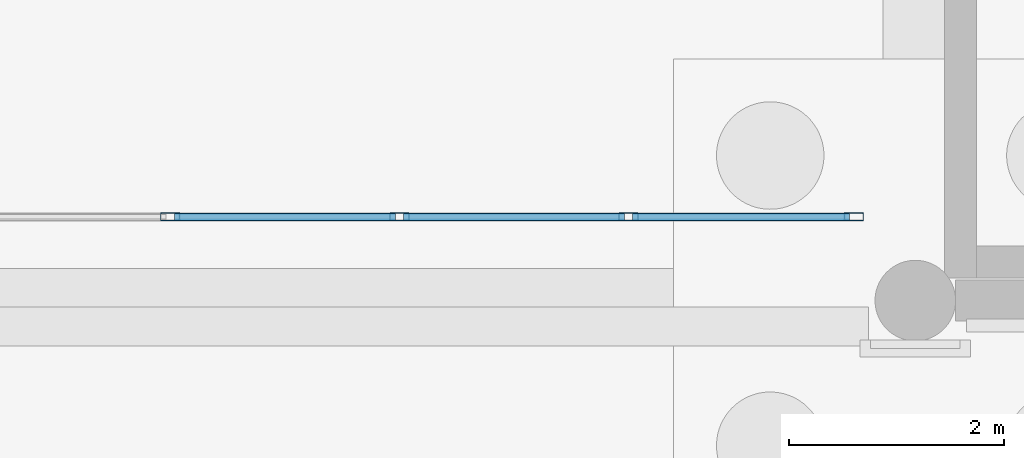
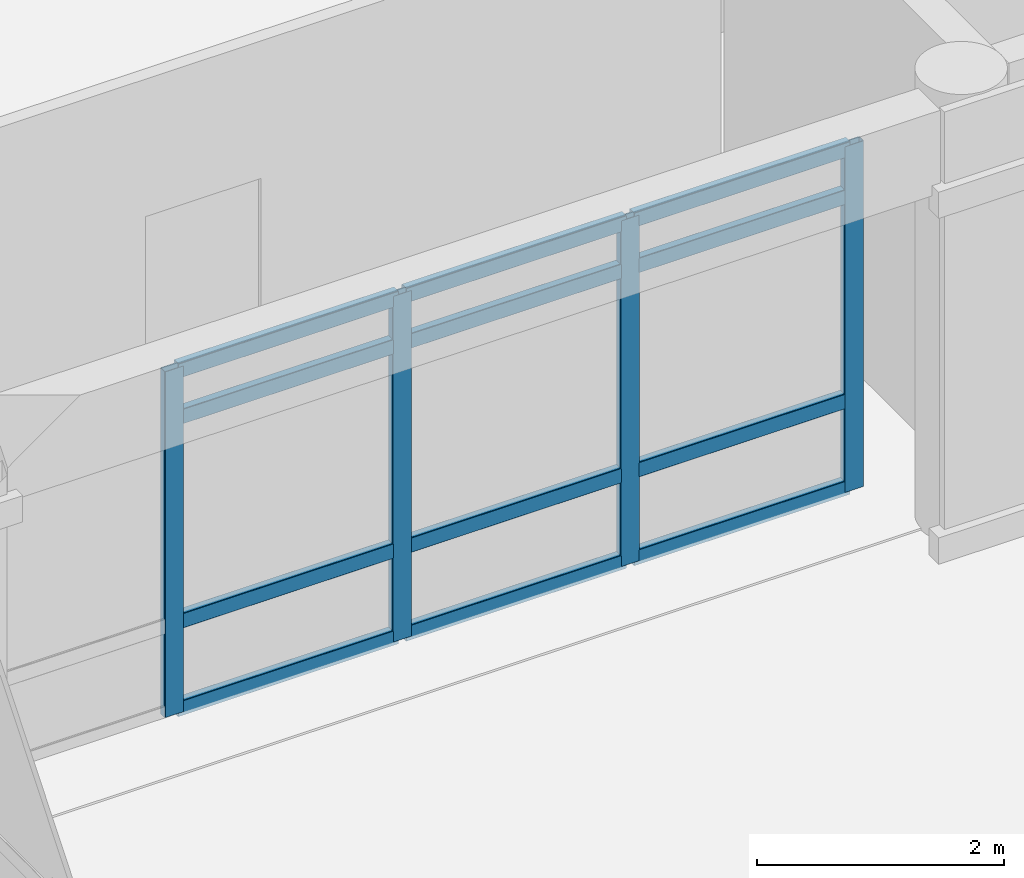
# One storey, part 94 of 196: 16 members, 1 element without a shape of its own.
"""IFC4 building model written with IfcOpenShell, lengths in metres."""

from ifc_helpers import new_model, si_unit, direction, frame, origin, origin_2d, place, context, subcontext, project, spatial, hollow_rectangle, extrude, material, layer, layer_set, material_profile, profile_set, type_object, element, aggregate, save


model = new_model("IFC4")

# Units and contexts
model_context = context("Model", 3, precision=1e-05, world=origin(), true_north=direction((0.0, 1.0)))
body_context = subcontext(model_context, "Body", "Model", "MODEL_VIEW")
ifc_project = project(units=[si_unit("LENGTHUNIT", "METRE"), si_unit("AREAUNIT", "SQUARE_METRE"), si_unit("VOLUMEUNIT", "CUBIC_METRE"), si_unit("PLANEANGLEUNIT", "RADIAN"), si_unit("MASSUNIT", "GRAM", prefix="KILO")], contexts=[model_context])

# Site, building, storey
site_placement = place(None, origin())
site = spatial("IfcSite", under=ifc_project, at=site_placement, CompositionType="ELEMENT")
building_placement = place(site_placement, origin())
building = spatial("IfcBuilding", under=site, at=building_placement, Name="Asteropetra Specialist Clinic", CompositionType="ELEMENT")
storey_placement = place(building_placement, origin())
storey = spatial("IfcBuildingStorey", under=building, at=storey_placement, Name="L00", CompositionType="ELEMENT", Elevation=0.0)

# Curtain wall, members
ifc_material_1 = material(Name="Aluminium and low-E glass", Category="aluminium")
ifc_layer = layer(ifc_material_1, 0.135009765625)
ifc_layer_set = layer_set([ifc_layer], Name="Aluminium and low-E glass")
curtain_wall_type = type_object("IfcCurtainWallType", Name="CW-SYS-09", PredefinedType="USERDEFINED", material=ifc_layer_set)
curtain_wall_placement = place(storey_placement, origin())
curtain_wall = element("IfcCurtainWall", 1, at=curtain_wall_placement, inside=storey, type_object=curtain_wall_type, Name="Curtain Wall CW-183", ObjectType="STICK GLAZED COLONNADE", PredefinedType="USERDEFINED")
ifc_material_2 = material(Name="Aluminium 6063-T6", Category="aluminium")
ifc_material_profile_1 = material_profile(ifc_material_2, hollow_rectangle(XDim=0.074951171875, YDim=0.179931640625, WallThickness=0.00390625, InnerFilletRadius=0.00390625, OuterFilletRadius=0.008056640625, at=origin_2d()), Name="MUL 180x75x4.0")
ifc_profile_set_1 = profile_set([ifc_material_profile_1], Name="Aluminium 6063-T6")
member_type_1 = type_object("IfcMemberType", Name="CWM-180x75", PredefinedType="MULLION", material=ifc_profile_set_1)
member_1_placement = place(storey_placement, frame((31.467529296875, 70.3798828125, 0.0), z_axis=(0.0, 0.0, 1.0), x_axis=(0.0, 1.0, 0.0)))
member_1 = element("IfcMember", 2, at=member_1_placement, type_object=member_type_1, Name="CW-183 mullion 2", PredefinedType="MULLION", context=body_context, shape_type="SweptSolid", body=[
    extrude(hollow_rectangle(XDim=0.074951171875, YDim=0.179931640625, WallThickness=0.00390625, InnerFilletRadius=0.00390625, OuterFilletRadius=0.008056640625, at=origin_2d()), origin(), (0.0, 0.0, 1.0), 3.419921875),
])
member_2_placement = place(storey_placement, frame((33.60009765625, 70.3798828125, 0.0), z_axis=(0.0, 0.0, 1.0), x_axis=(0.0, 1.0, 0.0)))
member_2 = element("IfcMember", 3, at=member_2_placement, type_object=member_type_1, Name="CW-183 mullion 3", PredefinedType="MULLION", context=body_context, shape_type="SweptSolid", body=[
    extrude(hollow_rectangle(XDim=0.074951171875, YDim=0.179931640625, WallThickness=0.00390625, InnerFilletRadius=0.00390625, OuterFilletRadius=0.008056640625, at=origin_2d()), origin(), (0.0, 0.0, 1.0), 3.419921875),
])
member_3_placement = place(storey_placement, frame((35.732421875, 70.3798828125, 0.0), z_axis=(0.0, 0.0, 1.0), x_axis=(0.0, 1.0, 0.0)))
member_3 = element("IfcMember", 4, at=member_3_placement, type_object=member_type_1, Name="CW-183 mullion 4", PredefinedType="MULLION", context=body_context, shape_type="SweptSolid", body=[
    extrude(hollow_rectangle(XDim=0.074951171875, YDim=0.179931640625, WallThickness=0.00390625, InnerFilletRadius=0.00390625, OuterFilletRadius=0.008056640625, at=origin_2d()), origin(), (0.0, 0.0, 1.0), 3.419921875),
])
member_4_placement = place(storey_placement, frame((37.827392578125, 70.3798828125, 0.0), z_axis=(0.0, 0.0, 1.0), x_axis=(0.0, 1.0, 0.0)))
member_4 = element("IfcMember", 5, at=member_4_placement, type_object=member_type_1, Name="CW-183 mullion 5", PredefinedType="MULLION", context=body_context, shape_type="SweptSolid", body=[
    extrude(hollow_rectangle(XDim=0.074951171875, YDim=0.179931640625, WallThickness=0.00390625, InnerFilletRadius=0.00390625, OuterFilletRadius=0.008056640625, at=origin_2d()), origin(), (0.0, 0.0, 1.0), 3.419921875),
])
ifc_material_3 = material(Name="Aluminium 6063-T6", Category="aluminium")
ifc_material_profile_2 = material_profile(ifc_material_3, hollow_rectangle(XDim=0.074951171875, YDim=0.14990234375, WallThickness=0.00390625, InnerFilletRadius=0.00390625, OuterFilletRadius=0.008056640625, at=origin_2d()), Name="TRN 150x75x4.0")
ifc_profile_set_2 = profile_set([ifc_material_profile_2], Name="Aluminium 6063-T6")
member_type_2 = type_object("IfcMemberType", Name="CWT-150x75", PredefinedType="USERDEFINED", material=ifc_profile_set_2)
member_5_placement = place(storey_placement, frame((31.5048828125, 70.3798828125, 0.03759765625), z_axis=(1.0, 0.0, 0.0), x_axis=(0.0, 1.0, 0.0)))
member_5 = element("IfcMember", 6, at=member_5_placement, type_object=member_type_2, Name="CW-183 transom 2.1", ObjectType="TRANSOM", PredefinedType="USERDEFINED", context=body_context, shape_type="SweptSolid", body=[
    extrude(hollow_rectangle(XDim=0.074951171875, YDim=0.14990234375, WallThickness=0.00390625, InnerFilletRadius=0.00390625, OuterFilletRadius=0.008056640625, at=origin_2d()), origin(), (0.0, 0.0, 1.0), 2.0576171875),
])
member_6_placement = place(storey_placement, frame((31.5048828125, 70.3798828125, 0.89990234375), z_axis=(1.0, 0.0, 0.0), x_axis=(0.0, 1.0, 0.0)))
member_6 = element("IfcMember", 7, at=member_6_placement, type_object=member_type_2, Name="CW-183 transom 2.2", ObjectType="TRANSOM", PredefinedType="USERDEFINED", context=body_context, shape_type="SweptSolid", body=[
    extrude(hollow_rectangle(XDim=0.074951171875, YDim=0.14990234375, WallThickness=0.00390625, InnerFilletRadius=0.00390625, OuterFilletRadius=0.008056640625, at=origin_2d()), origin(), (0.0, 0.0, 1.0), 2.0576171875),
])
member_7_placement = place(storey_placement, frame((31.5048828125, 70.3798828125, 2.919921875), z_axis=(1.0, 0.0, 0.0), x_axis=(0.0, 1.0, 0.0)))
member_7 = element("IfcMember", 8, at=member_7_placement, type_object=member_type_2, Name="CW-183 transom 2.3", ObjectType="TRANSOM", PredefinedType="USERDEFINED", context=body_context, shape_type="SweptSolid", body=[
    extrude(hollow_rectangle(XDim=0.074951171875, YDim=0.14990234375, WallThickness=0.00390625, InnerFilletRadius=0.00390625, OuterFilletRadius=0.008056640625, at=origin_2d()), origin(), (0.0, 0.0, 1.0), 2.0576171875),
])
member_8_placement = place(storey_placement, frame((31.5048828125, 70.3798828125, 3.382568359375), z_axis=(1.0, 0.0, 0.0), x_axis=(0.0, 1.0, 0.0)))
member_8 = element("IfcMember", 9, at=member_8_placement, type_object=member_type_2, Name="CW-183 transom 2.4", ObjectType="TRANSOM", PredefinedType="USERDEFINED", context=body_context, shape_type="SweptSolid", body=[
    extrude(hollow_rectangle(XDim=0.074951171875, YDim=0.14990234375, WallThickness=0.00390625, InnerFilletRadius=0.00390625, OuterFilletRadius=0.008056640625, at=origin_2d()), origin(), (0.0, 0.0, 1.0), 2.0576171875),
])
member_9_placement = place(storey_placement, frame((33.637451171875, 70.3798828125, 0.03759765625), z_axis=(1.0, 0.0, 0.0), x_axis=(0.0, 1.0, 0.0)))
member_9 = element("IfcMember", 10, at=member_9_placement, type_object=member_type_2, Name="CW-183 transom 3.1", ObjectType="TRANSOM", PredefinedType="USERDEFINED", context=body_context, shape_type="SweptSolid", body=[
    extrude(hollow_rectangle(XDim=0.074951171875, YDim=0.14990234375, WallThickness=0.00390625, InnerFilletRadius=0.00390625, OuterFilletRadius=0.008056640625, at=origin_2d()), origin(), (0.0, 0.0, 1.0), 2.0576171875),
])
member_10_placement = place(storey_placement, frame((33.637451171875, 70.3798828125, 0.89990234375), z_axis=(1.0, 0.0, 0.0), x_axis=(0.0, 1.0, 0.0)))
member_10 = element("IfcMember", 11, at=member_10_placement, type_object=member_type_2, Name="CW-183 transom 3.2", ObjectType="TRANSOM", PredefinedType="USERDEFINED", context=body_context, shape_type="SweptSolid", body=[
    extrude(hollow_rectangle(XDim=0.074951171875, YDim=0.14990234375, WallThickness=0.00390625, InnerFilletRadius=0.00390625, OuterFilletRadius=0.008056640625, at=origin_2d()), origin(), (0.0, 0.0, 1.0), 2.0576171875),
])
member_11_placement = place(storey_placement, frame((33.637451171875, 70.3798828125, 2.919921875), z_axis=(1.0, 0.0, 0.0), x_axis=(0.0, 1.0, 0.0)))
member_11 = element("IfcMember", 12, at=member_11_placement, type_object=member_type_2, Name="CW-183 transom 3.3", ObjectType="TRANSOM", PredefinedType="USERDEFINED", context=body_context, shape_type="SweptSolid", body=[
    extrude(hollow_rectangle(XDim=0.074951171875, YDim=0.14990234375, WallThickness=0.00390625, InnerFilletRadius=0.00390625, OuterFilletRadius=0.008056640625, at=origin_2d()), origin(), (0.0, 0.0, 1.0), 2.0576171875),
])
member_12_placement = place(storey_placement, frame((33.637451171875, 70.3798828125, 3.382568359375), z_axis=(1.0, 0.0, 0.0), x_axis=(0.0, 1.0, 0.0)))
member_12 = element("IfcMember", 13, at=member_12_placement, type_object=member_type_2, Name="CW-183 transom 3.4", ObjectType="TRANSOM", PredefinedType="USERDEFINED", context=body_context, shape_type="SweptSolid", body=[
    extrude(hollow_rectangle(XDim=0.074951171875, YDim=0.14990234375, WallThickness=0.00390625, InnerFilletRadius=0.00390625, OuterFilletRadius=0.008056640625, at=origin_2d()), origin(), (0.0, 0.0, 1.0), 2.0576171875),
])
member_13_placement = place(storey_placement, frame((35.77001953125, 70.3798828125, 0.03759765625), z_axis=(1.0, 0.0, 0.0), x_axis=(0.0, 1.0, 0.0)))
member_13 = element("IfcMember", 14, at=member_13_placement, type_object=member_type_2, Name="CW-183 transom 4.1", ObjectType="TRANSOM", PredefinedType="USERDEFINED", context=body_context, shape_type="SweptSolid", body=[
    extrude(hollow_rectangle(XDim=0.074951171875, YDim=0.14990234375, WallThickness=0.00390625, InnerFilletRadius=0.00390625, OuterFilletRadius=0.008056640625, at=origin_2d()), origin(), (0.0, 0.0, 1.0), 2.02001953125),
])
member_14_placement = place(storey_placement, frame((35.77001953125, 70.3798828125, 0.89990234375), z_axis=(1.0, 0.0, 0.0), x_axis=(0.0, 1.0, 0.0)))
member_14 = element("IfcMember", 15, at=member_14_placement, type_object=member_type_2, Name="CW-183 transom 4.2", ObjectType="TRANSOM", PredefinedType="USERDEFINED", context=body_context, shape_type="SweptSolid", body=[
    extrude(hollow_rectangle(XDim=0.074951171875, YDim=0.14990234375, WallThickness=0.00390625, InnerFilletRadius=0.00390625, OuterFilletRadius=0.008056640625, at=origin_2d()), origin(), (0.0, 0.0, 1.0), 2.02001953125),
])
member_15_placement = place(storey_placement, frame((35.77001953125, 70.3798828125, 2.919921875), z_axis=(1.0, 0.0, 0.0), x_axis=(0.0, 1.0, 0.0)))
member_15 = element("IfcMember", 16, at=member_15_placement, type_object=member_type_2, Name="CW-183 transom 4.3", ObjectType="TRANSOM", PredefinedType="USERDEFINED", context=body_context, shape_type="SweptSolid", body=[
    extrude(hollow_rectangle(XDim=0.074951171875, YDim=0.14990234375, WallThickness=0.00390625, InnerFilletRadius=0.00390625, OuterFilletRadius=0.008056640625, at=origin_2d()), origin(), (0.0, 0.0, 1.0), 2.02001953125),
])
member_16_placement = place(storey_placement, frame((35.77001953125, 70.3798828125, 3.382568359375), z_axis=(1.0, 0.0, 0.0), x_axis=(0.0, 1.0, 0.0)))
member_16 = element("IfcMember", 17, at=member_16_placement, type_object=member_type_2, Name="CW-183 transom 4.4", ObjectType="TRANSOM", PredefinedType="USERDEFINED", context=body_context, shape_type="SweptSolid", body=[
    extrude(hollow_rectangle(XDim=0.074951171875, YDim=0.14990234375, WallThickness=0.00390625, InnerFilletRadius=0.00390625, OuterFilletRadius=0.008056640625, at=origin_2d()), origin(), (0.0, 0.0, 1.0), 2.02001953125),
])
aggregate(curtain_wall, [member_1, member_2, member_3, member_4, member_5, member_6, member_7, member_8, member_9, member_10, member_11, member_12, member_13, member_14, member_15, member_16])

save(model, "model.ifc")
